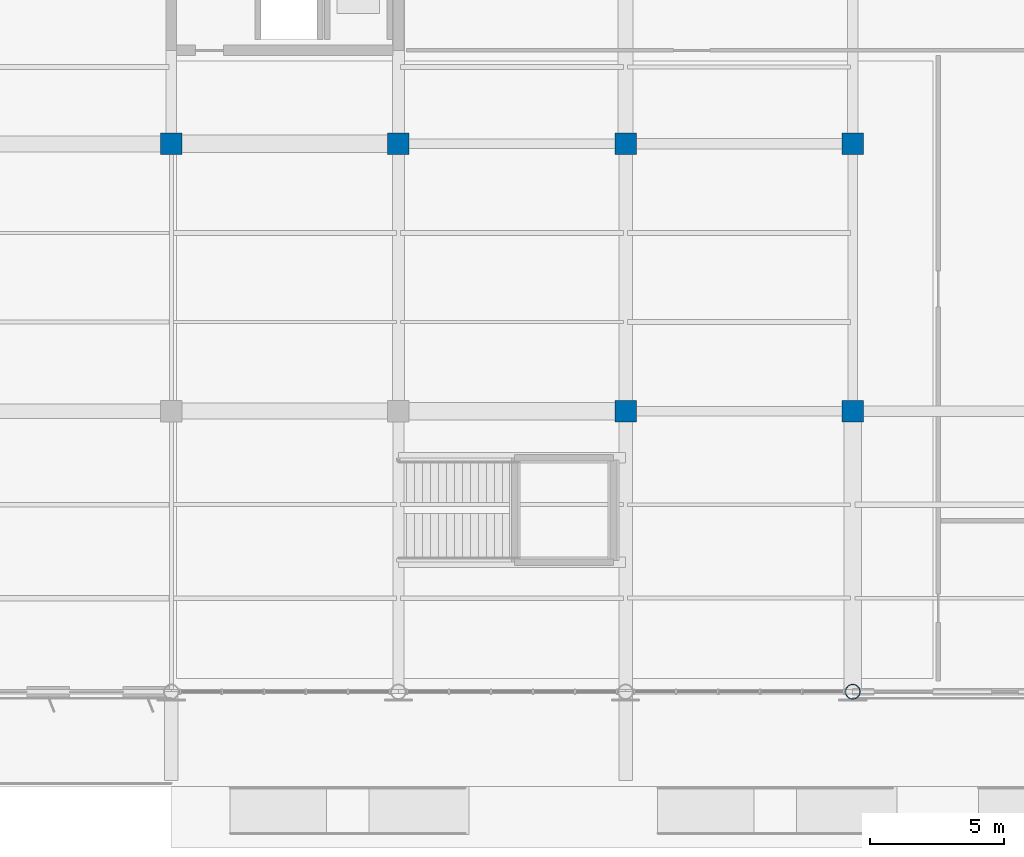
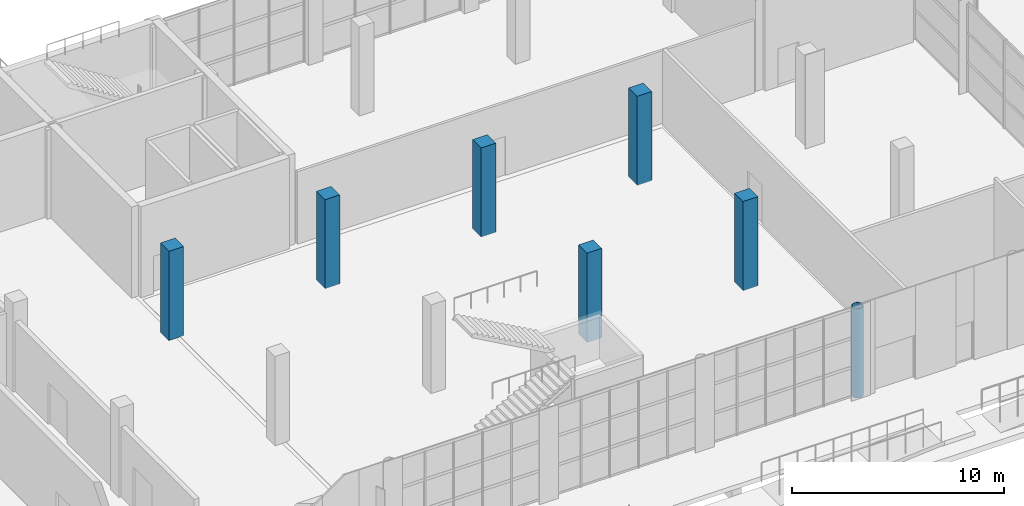
# One storey, part 2 of 90: 7 columns.
"""IFC4 building model written with IfcOpenShell, lengths in metres."""

from ifc_helpers import new_model, si_unit, direction, frame, origin, origin_2d, place, context, subcontext, project, spatial, rectangle, hollow_circle, extrude, material, material_profile, profile_set, type_object, element, save


model = new_model("IFC4")

# Units and contexts
model_context = context("Model", 3, precision=1e-05, world=origin(), true_north=direction((0.0, 1.0)))
body_context = subcontext(model_context, "Body", "Model", "MODEL_VIEW")
ifc_project = project(units=[si_unit("LENGTHUNIT", "METRE"), si_unit("AREAUNIT", "SQUARE_METRE"), si_unit("VOLUMEUNIT", "CUBIC_METRE"), si_unit("PLANEANGLEUNIT", "RADIAN"), si_unit("MASSUNIT", "GRAM", prefix="KILO")], contexts=[model_context])

# Site, building, storey
site_placement = place(None, origin())
site = spatial("IfcSite", under=ifc_project, at=site_placement, CompositionType="ELEMENT")
building_placement = place(site_placement, origin())
building = spatial("IfcBuilding", under=site, at=building_placement, Name="Solvikara Media Centre", CompositionType="ELEMENT")
storey_placement = place(building_placement, origin())
storey = spatial("IfcBuildingStorey", under=building, at=storey_placement, Name="L00", CompositionType="ELEMENT", Elevation=0.0)

# Columns
ifc_material_1 = material(Name="Concrete fc' 45 MPa (C45/55)", Category="concrete")
ifc_material_profile_1 = material_profile(ifc_material_1, rectangle(XDim=0.800048828125, YDim=0.800048828125, at=origin_2d()), Name="RC 800x800")
ifc_profile_set_1 = profile_set([ifc_material_profile_1], Name="Concrete fc' 45 MPa (C45/55)")
column_type_1 = type_object("IfcColumnType", Name="CL-05", PredefinedType="COLUMN", material=ifc_profile_set_1)
for number, where, z_axis, x_axis, name in (
    (1, (34.0, 20.5, 0.0), (0.0, 0.0, 1.0), (1.0, 0.0, 0.0), "C-L00-0340-0205"),
    (2, (42.5, 20.5, 0.0), (0.0, 0.0, 1.0), (1.0, 0.0, 0.0), "C-L00-0425-0205"),
    (3, (51.0, 10.5, 0.0), (0.0, 0.0, 1.0), (1.0, 0.0, 0.0), "C-L00-0510-0105"),
    (4, (51.0, 20.5, 0.0), (0.0, 0.0, 1.0), (1.0, 0.0, 0.0), "C-L00-0510-0205"),
    (5, (59.5, 10.5, 0.0), (0.0, 0.0, 1.0), (1.0, 0.0, 0.0), "C-L00-0595-0105"),
    (6, (59.5, 20.5, 0.0), (0.0, 0.0, 1.0), (1.0, 0.0, 0.0), "C-L00-0595-0205"),
):
    element("IfcColumn", number, at=place(storey_placement, frame(where, z_axis=z_axis, x_axis=x_axis)), inside=storey, type_object=column_type_1, Name=name, PredefinedType="COLUMN", context=body_context, shape_type="SweptSolid", body=[
        extrude(rectangle(XDim=0.800048828125, YDim=0.800048828125, at=origin_2d()), origin(), (0.0, 0.0, 1.0), 5.139892578125),
    ])
ifc_material_2 = material(Name="Steel S355JR", Category="steel")
ifc_material_profile_2 = material_profile(ifc_material_2, hollow_circle(Radius=0.279541015625, WallThickness=0.01611328125, at=origin_2d()), Name="CHS 559x16")
ifc_profile_set_2 = profile_set([ifc_material_profile_2], Name="Steel S355JR")
column_type_2 = type_object("IfcColumnType", Name="CL-24", PredefinedType="COLUMN", material=ifc_profile_set_2)
column_placement = place(storey_placement, frame((59.5, 0.0, 0.0), z_axis=(0.0, 0.0, 1.0), x_axis=(1.0, 0.0, 0.0)))
element("IfcColumn", 7, at=column_placement, inside=storey, type_object=column_type_2, Name="C-L00-0595-0000", PredefinedType="COLUMN", context=body_context, shape_type="SweptSolid", body=[
    extrude(hollow_circle(Radius=0.279541015625, WallThickness=0.01611328125, at=origin_2d()), origin(), (0.0, 0.0, 1.0), 5.139892578125),
])

save(model, "model.ifc")
